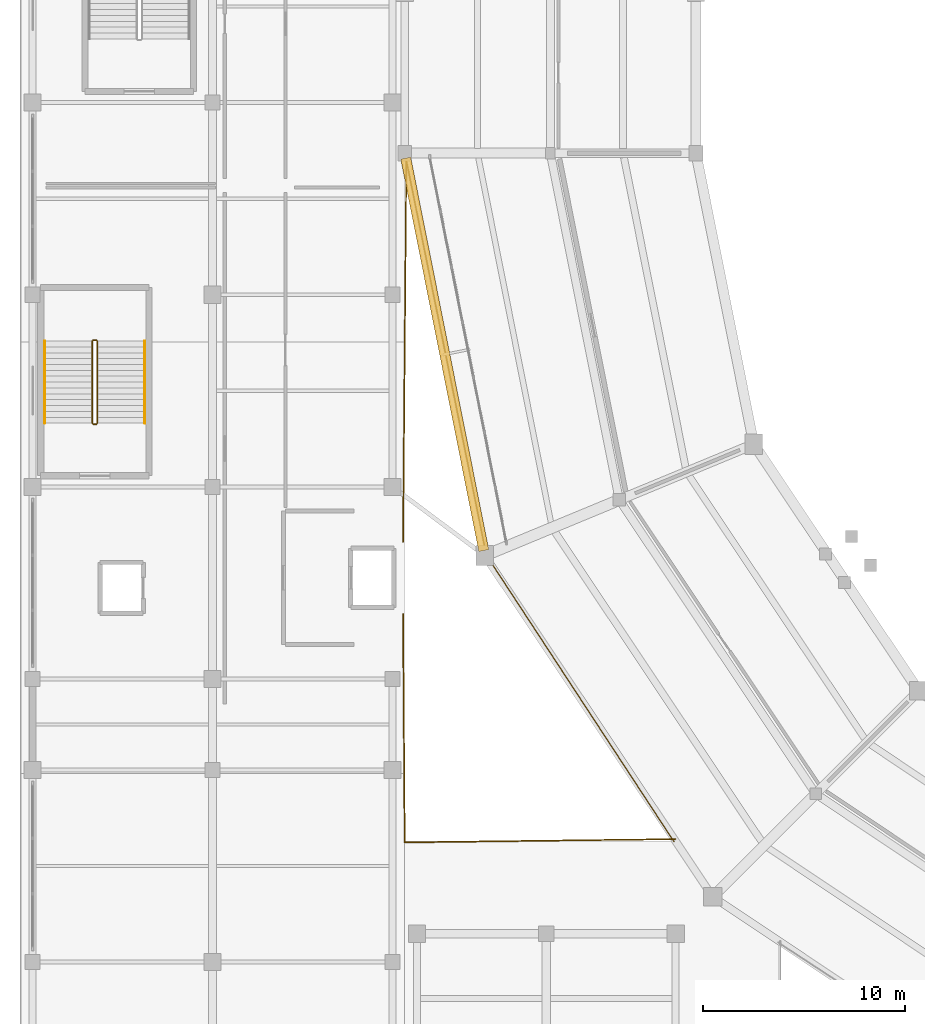
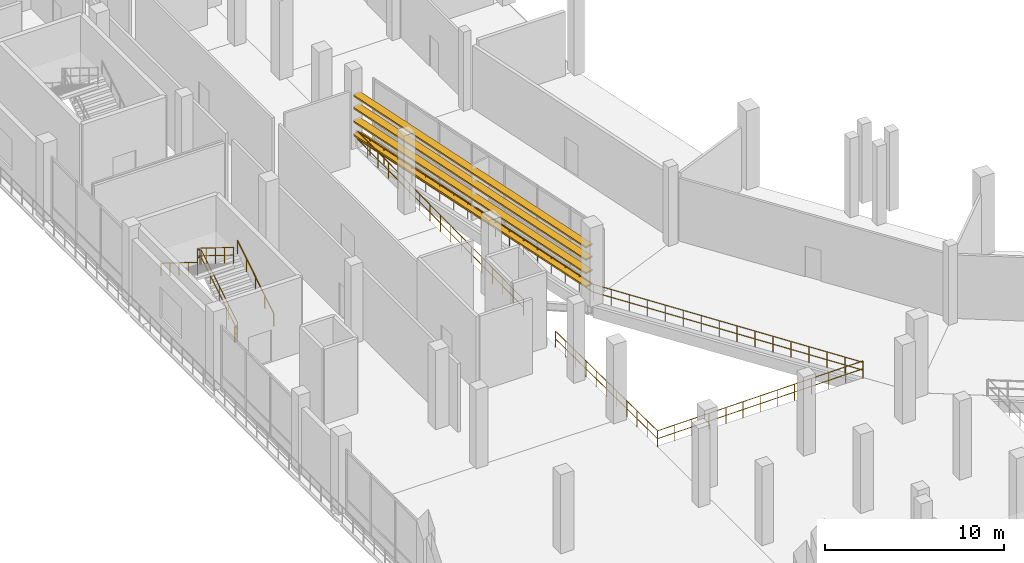
# One storey, part 93 of 114: 11 railings, 4 shading devices.
"""IFC4 building model written with IfcOpenShell, lengths in metres."""

from ifc_helpers import new_model, si_unit, direction, frame, origin, origin_2d, place, context, subcontext, project, spatial, rectangle, circle, extrude, material, layer, layer_set, type_object, element, save


model = new_model("IFC4")

# Units and contexts
model_context = context("Model", 3, precision=1e-05, world=origin(), true_north=direction((0.0, 1.0)))
body_context = subcontext(model_context, "Body", "Model", "MODEL_VIEW")
ifc_project = project(units=[si_unit("LENGTHUNIT", "METRE"), si_unit("AREAUNIT", "SQUARE_METRE"), si_unit("VOLUMEUNIT", "CUBIC_METRE"), si_unit("PLANEANGLEUNIT", "RADIAN"), si_unit("MASSUNIT", "GRAM", prefix="KILO")], contexts=[model_context])

# Site, building, storey
site_placement = place(None, origin())
site = spatial("IfcSite", under=ifc_project, at=site_placement, CompositionType="ELEMENT")
building_placement = place(site_placement, origin())
building = spatial("IfcBuilding", under=site, at=building_placement, Name="Candeia Ridge Stadium", CompositionType="ELEMENT")
storey_placement = place(building_placement, frame((0.0, 0.0, 5.39990234375)))
storey = spatial("IfcBuildingStorey", under=building, at=storey_placement, Name="L01", CompositionType="ELEMENT", Elevation=5.39990234375)

# Railings
ifc_material_1 = material(Name="Galvanized Powder-Coated Steel", Category="steel")
ifc_layer_1 = layer(ifc_material_1, 0.074951171875, Name="Galvanized Powder-Coated Steel", Category="steel")
ifc_layer_set_1 = layer_set([ifc_layer_1], Name="Galvanized Powder-Coated Steel")
railing_type_1 = type_object("IfcRailingType", Name="Spectator Bowl Front Guardrail 1120", PredefinedType="GUARDRAIL", material=ifc_layer_set_1)
railing_1_placement = place(storey_placement, frame((32.313232421875, 36.95556640625, 0.0)))
element("IfcRailing", 1, at=railing_1_placement, inside=storey, type_object=railing_type_1, Name="Deck edge safety guardrail GR-DE-L01-0048", PredefinedType="GUARDRAIL", context=body_context, shape_type="SweptSolid", body=[
    extrude(circle(Radius=0.02392578125, at=origin_2d()), frame((0.0, 0.0, 1.09619140625), z_axis=(-0.547972672169, 0.836496234634, 0.0), x_axis=(-0.836496234634, -0.547972672169, 0.0)), (0.0, 0.0, 1.0), 16.928466796875),
    extrude(circle(Radius=0.02392578125, at=origin_2d()), frame((0.0, 0.0, 0.56005859375), z_axis=(-0.547972672169, 0.836496234634, 0.0), x_axis=(-0.836496234634, -0.547972672169, 0.0)), (0.0, 0.0, 1.0), 16.928466796875),
    extrude(circle(Radius=0.02099609375, at=origin_2d()), origin(), (0.0, 0.0, 1.0), 1.072021484375),
    extrude(circle(Radius=0.02099609375, at=origin_2d()), frame((-0.618408203125, 0.944091796875, 0.0)), (0.0, 0.0, 1.0), 1.072021484375),
    extrude(circle(Radius=0.02099609375, at=origin_2d()), frame((-1.23681640625, 1.88818359375, 0.0)), (0.0, 0.0, 1.0), 1.072021484375),
    extrude(circle(Radius=0.02099609375, at=origin_2d()), frame((-1.855224609375, 2.83203125, 0.0)), (0.0, 0.0, 1.0), 1.072021484375),
    extrude(circle(Radius=0.02099609375, at=origin_2d()), frame((-2.4736328125, 3.776123046875, 0.0)), (0.0, 0.0, 1.0), 1.072021484375),
    extrude(circle(Radius=0.02099609375, at=origin_2d()), frame((-3.092041015625, 4.72021484375, 0.0)), (0.0, 0.0, 1.0), 1.072021484375),
    extrude(circle(Radius=0.02099609375, at=origin_2d()), frame((-3.71044921875, 5.664306640625, 0.0)), (0.0, 0.0, 1.0), 1.072021484375),
    extrude(circle(Radius=0.02099609375, at=origin_2d()), frame((-4.328857421875, 6.6083984375, 0.0)), (0.0, 0.0, 1.0), 1.072021484375),
    extrude(circle(Radius=0.02099609375, at=origin_2d()), frame((-4.947509765625, 7.55224609375, 0.0)), (0.0, 0.0, 1.0), 1.072021484375),
    extrude(circle(Radius=0.02099609375, at=origin_2d()), frame((-5.56591796875, 8.496337890625, 0.0)), (0.0, 0.0, 1.0), 1.072021484375),
    extrude(circle(Radius=0.02099609375, at=origin_2d()), frame((-6.184326171875, 9.4404296875, 0.0)), (0.0, 0.0, 1.0), 1.072021484375),
    extrude(circle(Radius=0.02099609375, at=origin_2d()), frame((-6.802734375, 10.384521484375, 0.0)), (0.0, 0.0, 1.0), 1.072021484375),
    extrude(circle(Radius=0.02099609375, at=origin_2d()), frame((-7.421142578125, 11.32861328125, 0.0)), (0.0, 0.0, 1.0), 1.072021484375),
    extrude(circle(Radius=0.02099609375, at=origin_2d()), frame((-8.03955078125, 12.2724609375, 0.0)), (0.0, 0.0, 1.0), 1.072021484375),
    extrude(circle(Radius=0.02099609375, at=origin_2d()), frame((-8.657958984375, 13.216552734375, 0.0)), (0.0, 0.0, 1.0), 1.072021484375),
    extrude(circle(Radius=0.02099609375, at=origin_2d()), frame((-9.2763671875, 14.16064453125, 0.0)), (0.0, 0.0, 1.0), 1.072021484375),
])
railing_2_placement = place(storey_placement, frame((23.036865234375, 51.1162109375, 0.0)))
element("IfcRailing", 2, at=railing_2_placement, inside=storey, type_object=railing_type_1, Name="Deck edge safety guardrail GR-DE-L01-0049", PredefinedType="GUARDRAIL", context=body_context, shape_type="SweptSolid", body=[
    extrude(circle(Radius=0.02392578125, at=origin_2d()), frame((0.0, 0.0, 1.09619140625), z_axis=(-0.198632089417, 0.980074126306, 0.0), x_axis=(-0.980074126306, -0.198632089417, 0.0)), (0.0, 0.0, 1.0), 20.055419921875),
    extrude(circle(Radius=0.02392578125, at=origin_2d()), frame((0.0, 0.0, 0.56005859375), z_axis=(-0.198632089417, 0.980074126306, 0.0), x_axis=(-0.980074126306, -0.198632089417, 0.0)), (0.0, 0.0, 1.0), 20.055419921875),
    extrude(circle(Radius=0.02099609375, at=origin_2d()), origin(), (0.0, 0.0, 1.0), 1.072021484375),
    extrude(circle(Radius=0.02099609375, at=origin_2d()), frame((-0.234375, 1.15625, 0.0)), (0.0, 0.0, 1.0), 1.072021484375),
    extrude(circle(Radius=0.02099609375, at=origin_2d()), frame((-0.46875, 2.3125, 0.0)), (0.0, 0.0, 1.0), 1.072021484375),
    extrude(circle(Radius=0.02099609375, at=origin_2d()), frame((-0.702880859375, 3.46875, 0.0)), (0.0, 0.0, 1.0), 1.072021484375),
    extrude(circle(Radius=0.02099609375, at=origin_2d()), frame((-0.937255859375, 4.625, 0.0)), (0.0, 0.0, 1.0), 1.072021484375),
    extrude(circle(Radius=0.02099609375, at=origin_2d()), frame((-1.171630859375, 5.781005859375, 0.0)), (0.0, 0.0, 1.0), 1.072021484375),
    extrude(circle(Radius=0.02099609375, at=origin_2d()), frame((-1.406005859375, 6.937255859375, 0.0)), (0.0, 0.0, 1.0), 1.072021484375),
    extrude(circle(Radius=0.02099609375, at=origin_2d()), frame((-1.640380859375, 8.093505859375, 0.0)), (0.0, 0.0, 1.0), 1.072021484375),
    extrude(circle(Radius=0.02099609375, at=origin_2d()), frame((-1.874755859375, 9.249755859375, 0.0)), (0.0, 0.0, 1.0), 1.072021484375),
    extrude(circle(Radius=0.02099609375, at=origin_2d()), frame((-2.10888671875, 10.406005859375, 0.0)), (0.0, 0.0, 1.0), 1.072021484375),
    extrude(circle(Radius=0.02099609375, at=origin_2d()), frame((-2.34326171875, 11.562255859375, 0.0)), (0.0, 0.0, 1.0), 1.072021484375),
    extrude(circle(Radius=0.02099609375, at=origin_2d()), frame((-2.57763671875, 12.718505859375, 0.0)), (0.0, 0.0, 1.0), 1.072021484375),
    extrude(circle(Radius=0.02099609375, at=origin_2d()), frame((-2.81201171875, 13.874755859375, 0.0)), (0.0, 0.0, 1.0), 1.072021484375),
    extrude(circle(Radius=0.02099609375, at=origin_2d()), frame((-3.04638671875, 15.03076171875, 0.0)), (0.0, 0.0, 1.0), 1.072021484375),
    extrude(circle(Radius=0.02099609375, at=origin_2d()), frame((-3.28076171875, 16.18701171875, 0.0)), (0.0, 0.0, 1.0), 1.072021484375),
    extrude(circle(Radius=0.02099609375, at=origin_2d()), frame((-3.514892578125, 17.34326171875, 0.0)), (0.0, 0.0, 1.0), 1.072021484375),
    extrude(circle(Radius=0.02099609375, at=origin_2d()), frame((-3.749267578125, 18.49951171875, 0.0)), (0.0, 0.0, 1.0), 1.072021484375),
    extrude(circle(Radius=0.02099609375, at=origin_2d()), frame((-3.983642578125, 19.65576171875, 0.0)), (0.0, 0.0, 1.0), 1.072021484375),
])
railing_3_placement = place(storey_placement, frame((19.080078125, 70.686279296875, 0.0)))
element("IfcRailing", 3, at=railing_3_placement, inside=storey, type_object=railing_type_1, Name="Deck edge safety guardrail GR-DE-L01-0050", PredefinedType="GUARDRAIL", context=body_context, shape_type="SweptSolid", body=[
    extrude(circle(Radius=0.02392578125, at=origin_2d()), frame((0.0, 0.0, 1.09619140625), z_axis=(-0.008472958565, -0.999964103842, 0.0), x_axis=(0.999964103842, -0.008472958565, 0.0)), (0.0, 0.0, 1.0), 18.902099609375),
    extrude(circle(Radius=0.02392578125, at=origin_2d()), frame((0.0, 0.0, 0.56005859375), z_axis=(-0.008472958565, -0.999964103842, 0.0), x_axis=(0.999964103842, -0.008472958565, 0.0)), (0.0, 0.0, 1.0), 18.902099609375),
    extrude(circle(Radius=0.02099609375, at=origin_2d()), origin(), (0.0, 0.0, 1.0), 1.072021484375),
    extrude(circle(Radius=0.02099609375, at=origin_2d()), frame((-0.010009765625, -1.181396484375, 0.0)), (0.0, 0.0, 1.0), 1.072021484375),
    extrude(circle(Radius=0.02099609375, at=origin_2d()), frame((-0.02001953125, -2.36279296875, 0.0)), (0.0, 0.0, 1.0), 1.072021484375),
    extrude(circle(Radius=0.02099609375, at=origin_2d()), frame((-0.030029296875, -3.5439453125, 0.0)), (0.0, 0.0, 1.0), 1.072021484375),
    extrude(circle(Radius=0.02099609375, at=origin_2d()), frame((-0.0400390625, -4.725341796875, 0.0)), (0.0, 0.0, 1.0), 1.072021484375),
    extrude(circle(Radius=0.02099609375, at=origin_2d()), frame((-0.050048828125, -5.90673828125, 0.0)), (0.0, 0.0, 1.0), 1.072021484375),
    extrude(circle(Radius=0.02099609375, at=origin_2d()), frame((-0.06005859375, -7.087890625, 0.0)), (0.0, 0.0, 1.0), 1.072021484375),
    extrude(circle(Radius=0.02099609375, at=origin_2d()), frame((-0.070068359375, -8.269287109375, 0.0)), (0.0, 0.0, 1.0), 1.072021484375),
    extrude(circle(Radius=0.02099609375, at=origin_2d()), frame((-0.080078125, -9.45068359375, 0.0)), (0.0, 0.0, 1.0), 1.072021484375),
    extrude(circle(Radius=0.02099609375, at=origin_2d()), frame((-0.090087890625, -10.632080078125, 0.0)), (0.0, 0.0, 1.0), 1.072021484375),
    extrude(circle(Radius=0.02099609375, at=origin_2d()), frame((-0.10009765625, -11.8134765625, 0.0)), (0.0, 0.0, 1.0), 1.072021484375),
    extrude(circle(Radius=0.02099609375, at=origin_2d()), frame((-0.110107421875, -12.99462890625, 0.0)), (0.0, 0.0, 1.0), 1.072021484375),
    extrude(circle(Radius=0.02099609375, at=origin_2d()), frame((-0.1201171875, -14.176025390625, 0.0)), (0.0, 0.0, 1.0), 1.072021484375),
    extrude(circle(Radius=0.02099609375, at=origin_2d()), frame((-0.130126953125, -15.357421875, 0.0)), (0.0, 0.0, 1.0), 1.072021484375),
    extrude(circle(Radius=0.02099609375, at=origin_2d()), frame((-0.14013671875, -16.53857421875, 0.0)), (0.0, 0.0, 1.0), 1.072021484375),
    extrude(circle(Radius=0.02099609375, at=origin_2d()), frame((-0.150146484375, -17.719970703125, 0.0)), (0.0, 0.0, 1.0), 1.072021484375),
    extrude(circle(Radius=0.02099609375, at=origin_2d()), frame((-0.16015625, -18.9013671875, 0.0)), (0.0, 0.0, 1.0), 1.072021484375),
])
railing_4_placement = place(storey_placement, frame((18.919921875, 48.215087890625, 0.0)))
element("IfcRailing", 4, at=railing_4_placement, inside=storey, type_object=railing_type_1, Name="Deck edge safety guardrail GR-DE-L01-0051", PredefinedType="GUARDRAIL", context=body_context, shape_type="SweptSolid", body=[
    extrude(circle(Radius=0.02392578125, at=origin_2d()), frame((0.0, 0.0, 1.09619140625), z_axis=(0.007089414402, -0.999974869786, 0.0), x_axis=(0.999974869786, 0.007089414402, 0.0)), (0.0, 0.0, 1.0), 11.29541015625),
    extrude(circle(Radius=0.02392578125, at=origin_2d()), frame((0.0, 0.0, 0.56005859375), z_axis=(0.007089414402, -0.999974869786, 0.0), x_axis=(0.999974869786, 0.007089414402, 0.0)), (0.0, 0.0, 1.0), 11.29541015625),
    extrude(circle(Radius=0.02099609375, at=origin_2d()), origin(), (0.0, 0.0, 1.0), 1.072021484375),
    extrude(circle(Radius=0.02099609375, at=origin_2d()), frame((0.008056640625, -1.12939453125, 0.0)), (0.0, 0.0, 1.0), 1.072021484375),
    extrude(circle(Radius=0.02099609375, at=origin_2d()), frame((0.01611328125, -2.259033203125, 0.0)), (0.0, 0.0, 1.0), 1.072021484375),
    extrude(circle(Radius=0.02099609375, at=origin_2d()), frame((0.02392578125, -3.388671875, 0.0)), (0.0, 0.0, 1.0), 1.072021484375),
    extrude(circle(Radius=0.02099609375, at=origin_2d()), frame((0.031982421875, -4.51806640625, 0.0)), (0.0, 0.0, 1.0), 1.072021484375),
    extrude(circle(Radius=0.02099609375, at=origin_2d()), frame((0.0400390625, -5.6474609375, 0.0)), (0.0, 0.0, 1.0), 1.072021484375),
    extrude(circle(Radius=0.02099609375, at=origin_2d()), frame((0.048095703125, -6.777099609375, 0.0)), (0.0, 0.0, 1.0), 1.072021484375),
    extrude(circle(Radius=0.02099609375, at=origin_2d()), frame((0.05615234375, -7.906494140625, 0.0)), (0.0, 0.0, 1.0), 1.072021484375),
    extrude(circle(Radius=0.02099609375, at=origin_2d()), frame((0.06396484375, -9.0361328125, 0.0)), (0.0, 0.0, 1.0), 1.072021484375),
    extrude(circle(Radius=0.02099609375, at=origin_2d()), frame((0.072021484375, -10.16552734375, 0.0)), (0.0, 0.0, 1.0), 1.072021484375),
    extrude(circle(Radius=0.02099609375, at=origin_2d()), frame((0.080078125, -11.295166015625, 0.0)), (0.0, 0.0, 1.0), 1.072021484375),
])
railing_5_placement = place(storey_placement, frame((19.0, 36.919921875, 0.0)))
element("IfcRailing", 5, at=railing_5_placement, inside=storey, type_object=railing_type_1, Name="Deck edge safety guardrail GR-DE-L01-0052", PredefinedType="GUARDRAIL", context=body_context, shape_type="SweptSolid", body=[
    extrude(circle(Radius=0.02392578125, at=origin_2d()), frame((0.0, 0.0, 1.09619140625), z_axis=(0.999928368095, 0.011969071773, 0.0), x_axis=(-0.011969071773, 0.999928368095, 0.0)), (0.0, 0.0, 1.0), 13.380859375),
    extrude(circle(Radius=0.02392578125, at=origin_2d()), frame((0.0, 0.0, 0.56005859375), z_axis=(0.999928368095, 0.011969071773, 0.0), x_axis=(-0.011969071773, 0.999928368095, 0.0)), (0.0, 0.0, 1.0), 13.380859375),
    extrude(circle(Radius=0.02099609375, at=origin_2d()), origin(), (0.0, 0.0, 1.0), 1.072021484375),
    extrude(circle(Radius=0.02099609375, at=origin_2d()), frame((1.114990234375, 0.013427734375, 0.0)), (0.0, 0.0, 1.0), 1.072021484375),
    extrude(circle(Radius=0.02099609375, at=origin_2d()), frame((2.22998046875, 0.026611328125, 0.0)), (0.0, 0.0, 1.0), 1.072021484375),
    extrude(circle(Radius=0.02099609375, at=origin_2d()), frame((3.344970703125, 0.0400390625, 0.0)), (0.0, 0.0, 1.0), 1.072021484375),
    extrude(circle(Radius=0.02099609375, at=origin_2d()), frame((4.4599609375, 0.053466796875, 0.0)), (0.0, 0.0, 1.0), 1.072021484375),
    extrude(circle(Radius=0.02099609375, at=origin_2d()), frame((5.574951171875, 0.066650390625, 0.0)), (0.0, 0.0, 1.0), 1.072021484375),
    extrude(circle(Radius=0.02099609375, at=origin_2d()), frame((6.68994140625, 0.080078125, 0.0)), (0.0, 0.0, 1.0), 1.072021484375),
    extrude(circle(Radius=0.02099609375, at=origin_2d()), frame((7.804931640625, 0.093505859375, 0.0)), (0.0, 0.0, 1.0), 1.072021484375),
    extrude(circle(Radius=0.02099609375, at=origin_2d()), frame((8.919921875, 0.106689453125, 0.0)), (0.0, 0.0, 1.0), 1.072021484375),
    extrude(circle(Radius=0.02099609375, at=origin_2d()), frame((10.034912109375, 0.1201171875, 0.0)), (0.0, 0.0, 1.0), 1.072021484375),
    extrude(circle(Radius=0.02099609375, at=origin_2d()), frame((11.14990234375, 0.133544921875, 0.0)), (0.0, 0.0, 1.0), 1.072021484375),
    extrude(circle(Radius=0.02099609375, at=origin_2d()), frame((12.264892578125, 0.146728515625, 0.0)), (0.0, 0.0, 1.0), 1.072021484375),
    extrude(circle(Radius=0.02099609375, at=origin_2d()), frame((13.3798828125, 0.16015625, 0.0)), (0.0, 0.0, 1.0), 1.072021484375),
])
ifc_material_2 = material(Name="Brushed Stainless Steel", Category="steel")
ifc_layer_2 = layer(ifc_material_2, 0.048095703125, Name="Brushed Stainless Steel", Category="steel")
ifc_layer_set_2 = layer_set([ifc_layer_2], Name="Brushed Stainless Steel")
railing_type_2 = type_object("IfcRailingType", Name="Stair Wall & Flight Handrail 900", PredefinedType="HANDRAIL", material=ifc_layer_set_2)
railing_6_placement = place(storey_placement, frame((6.14990234375, 57.64990234375, 0.18017578125)))
element("IfcRailing", 6, at=railing_6_placement, inside=storey, type_object=railing_type_2, Name="L01 ST05 stair handrail 1", PredefinedType="HANDRAIL", context=body_context, shape_type="SweptSolid", body=[
    extrude(circle(Radius=0.02392578125, at=origin_2d()), frame((0.0, 0.0, 0.8759765625), z_axis=(0.0, 0.849641744969, 0.527360318194), x_axis=(-1.0, 0.0, 0.0)), (0.0, 0.0, 1.0), 4.778564453125),
    extrude(circle(Radius=0.02099609375, at=origin_2d()), origin(), (0.0, 0.0, 1.0), 0.851806640625),
    extrude(circle(Radius=0.02099609375, at=origin_2d()), frame((0.0, 1.01513671875, 0.6298828125)), (0.0, 0.0, 1.0), 0.851806640625),
    extrude(circle(Radius=0.02099609375, at=origin_2d()), frame((0.0, 2.030029296875, 1.260009765625)), (0.0, 0.0, 1.0), 0.851806640625),
    extrude(circle(Radius=0.02099609375, at=origin_2d()), frame((0.0, 3.044921875, 1.89013671875)), (0.0, 0.0, 1.0), 0.851806640625),
    extrude(circle(Radius=0.02099609375, at=origin_2d()), frame((0.0, 4.06005859375, 2.52001953125)), (0.0, 0.0, 1.0), 0.851806640625),
])
railing_7_placement = place(storey_placement, frame((1.199951171875, 61.7099609375, 2.880126953125)))
element("IfcRailing", 7, at=railing_7_placement, inside=storey, type_object=railing_type_2, Name="L01 ST05 stair handrail 2", PredefinedType="HANDRAIL", context=body_context, shape_type="SweptSolid", body=[
    extrude(circle(Radius=0.02392578125, at=origin_2d()), frame((0.0, 0.0, 0.8759765625), z_axis=(0.0, -0.849641744969, 0.527360318194), x_axis=(1.0, 0.0, 0.0)), (0.0, 0.0, 1.0), 4.778564453125),
    extrude(circle(Radius=0.02099609375, at=origin_2d()), origin(), (0.0, 0.0, 1.0), 0.851806640625),
    extrude(circle(Radius=0.02099609375, at=origin_2d()), frame((0.0, -1.01513671875, 0.6298828125)), (0.0, 0.0, 1.0), 0.851806640625),
    extrude(circle(Radius=0.02099609375, at=origin_2d()), frame((0.0, -2.030029296875, 1.260009765625)), (0.0, 0.0, 1.0), 0.851806640625),
    extrude(circle(Radius=0.02099609375, at=origin_2d()), frame((0.0, -3.044921875, 1.89013671875)), (0.0, 0.0, 1.0), 0.851806640625),
    extrude(circle(Radius=0.02099609375, at=origin_2d()), frame((0.0, -4.06005859375, 2.52001953125)), (0.0, 0.0, 1.0), 0.851806640625),
])
ifc_layer_3 = layer(ifc_material_1, 0.06005859375, Name="Galvanized Powder-Coated Steel", Category="steel")
ifc_layer_set_3 = layer_set([ifc_layer_3], Name="Galvanized Powder-Coated Steel")
railing_type_3 = type_object("IfcRailingType", Name="Stair Well Guardrail 1100", PredefinedType="GUARDRAIL", material=ifc_layer_set_3)
railing_8_placement = place(storey_placement, frame((3.800048828125, 57.64990234375, 0.18017578125)))
element("IfcRailing", 8, at=railing_8_placement, inside=storey, type_object=railing_type_3, Name="L01 ST05 stair guard 1", PredefinedType="GUARDRAIL", context=body_context, shape_type="SweptSolid", body=[
    extrude(circle(Radius=0.02392578125, at=origin_2d()), frame((0.0, 0.0, 1.076171875), z_axis=(0.0, 0.849641744969, 0.527360318194), x_axis=(-1.0, 0.0, 0.0)), (0.0, 0.0, 1.0), 4.778564453125),
    extrude(circle(Radius=0.02392578125, at=origin_2d()), frame((0.0, 0.0, 0.550048828125), z_axis=(0.0, 0.849641744969, 0.527360318194), x_axis=(-1.0, 0.0, 0.0)), (0.0, 0.0, 1.0), 4.778564453125),
    extrude(circle(Radius=0.02099609375, at=origin_2d()), origin(), (0.0, 0.0, 1.0), 1.052001953125),
    extrude(circle(Radius=0.02099609375, at=origin_2d()), frame((0.0, 1.01513671875, 0.6298828125)), (0.0, 0.0, 1.0), 1.052001953125),
    extrude(circle(Radius=0.02099609375, at=origin_2d()), frame((0.0, 2.030029296875, 1.260009765625)), (0.0, 0.0, 1.0), 1.052001953125),
    extrude(circle(Radius=0.02099609375, at=origin_2d()), frame((0.0, 3.044921875, 1.89013671875)), (0.0, 0.0, 1.0), 1.052001953125),
    extrude(circle(Radius=0.02099609375, at=origin_2d()), frame((0.0, 4.06005859375, 2.52001953125)), (0.0, 0.0, 1.0), 1.052001953125),
])
railing_9_placement = place(storey_placement, frame((3.75, 61.760009765625, 2.7001953125)))
element("IfcRailing", 9, at=railing_9_placement, inside=storey, type_object=railing_type_3, Name="L01 ST05 stair guard 2", PredefinedType="GUARDRAIL", context=body_context, shape_type="SweptSolid", body=[
    extrude(circle(Radius=0.02392578125, at=origin_2d()), frame((0.0, 0.0, 1.076171875), z_axis=(-1.0, 0.0, 0.0), x_axis=(0.0, -1.0, 0.0)), (0.0, 0.0, 1.0), 0.14990234375),
    extrude(circle(Radius=0.02392578125, at=origin_2d()), frame((0.0, 0.0, 0.550048828125), z_axis=(-1.0, 0.0, 0.0), x_axis=(0.0, -1.0, 0.0)), (0.0, 0.0, 1.0), 0.14990234375),
    extrude(circle(Radius=0.02099609375, at=origin_2d()), origin(), (0.0, 0.0, 1.0), 1.052001953125),
    extrude(circle(Radius=0.02099609375, at=origin_2d()), frame((-0.14990234375, 0.0, 0.0)), (0.0, 0.0, 1.0), 1.052001953125),
])
railing_10_placement = place(storey_placement, frame((3.550048828125, 61.7099609375, 2.880126953125)))
element("IfcRailing", 10, at=railing_10_placement, inside=storey, type_object=railing_type_3, Name="L01 ST05 stair guard 3", PredefinedType="GUARDRAIL", context=body_context, shape_type="SweptSolid", body=[
    extrude(circle(Radius=0.02392578125, at=origin_2d()), frame((0.0, 0.0, 1.076171875), z_axis=(0.0, -0.849641744969, 0.527360318194), x_axis=(1.0, 0.0, 0.0)), (0.0, 0.0, 1.0), 4.778564453125),
    extrude(circle(Radius=0.02392578125, at=origin_2d()), frame((0.0, 0.0, 0.550048828125), z_axis=(0.0, -0.849641744969, 0.527360318194), x_axis=(1.0, 0.0, 0.0)), (0.0, 0.0, 1.0), 4.778564453125),
    extrude(circle(Radius=0.02099609375, at=origin_2d()), origin(), (0.0, 0.0, 1.0), 1.052001953125),
    extrude(circle(Radius=0.02099609375, at=origin_2d()), frame((0.0, -1.01513671875, 0.6298828125)), (0.0, 0.0, 1.0), 1.052001953125),
    extrude(circle(Radius=0.02099609375, at=origin_2d()), frame((0.0, -2.030029296875, 1.260009765625)), (0.0, 0.0, 1.0), 1.052001953125),
    extrude(circle(Radius=0.02099609375, at=origin_2d()), frame((0.0, -3.044921875, 1.89013671875)), (0.0, 0.0, 1.0), 1.052001953125),
    extrude(circle(Radius=0.02099609375, at=origin_2d()), frame((0.0, -4.06005859375, 2.52001953125)), (0.0, 0.0, 1.0), 1.052001953125),
])
railing_11_placement = place(storey_placement, frame((3.75, 57.60009765625, 0.0)))
element("IfcRailing", 11, at=railing_11_placement, inside=storey, type_object=railing_type_3, Name="L01 ST05 stair guard 4", PredefinedType="GUARDRAIL", context=body_context, shape_type="SweptSolid", body=[
    extrude(circle(Radius=0.02392578125, at=origin_2d()), frame((0.0, 0.0, 1.076171875), z_axis=(-1.0, 0.0, 0.0), x_axis=(0.0, -1.0, 0.0)), (0.0, 0.0, 1.0), 0.14990234375),
    extrude(circle(Radius=0.02392578125, at=origin_2d()), frame((0.0, 0.0, 0.550048828125), z_axis=(-1.0, 0.0, 0.0), x_axis=(0.0, -1.0, 0.0)), (0.0, 0.0, 1.0), 0.14990234375),
    extrude(circle(Radius=0.02099609375, at=origin_2d()), origin(), (0.0, 0.0, 1.0), 1.052001953125),
    extrude(circle(Radius=0.02099609375, at=origin_2d()), frame((-0.14990234375, 0.0, 0.0)), (0.0, 0.0, 1.0), 1.052001953125),
])

# Shading devices
ifc_material_3 = material(Name="Aluminium Anodized Warm Bronze", Category="aluminium")
shading_device_type = type_object("IfcShadingDeviceType", Name="Weathered Bronze Horizontal Solar Rib 500x105", PredefinedType="JALOUSIE", material=ifc_material_3)
for number, where, z_axis, x_axis, name in (
    (12, (20.979248046875, 61.05029296875, 0.872802734375), (0.0, 0.0, 1.0), (0.195090311899, -0.980785282416, 0.0), "Weathered bronze horizontal solar rib L01 bay 15-1"),
    (13, (20.979248046875, 61.05029296875, 1.7978515625), (0.0, 0.0, 1.0), (0.195090311899, -0.980785282416, 0.0), "Weathered bronze horizontal solar rib L01 bay 15-2"),
    (14, (20.979248046875, 61.05029296875, 2.722900390625), (0.0, 0.0, 1.0), (0.195090311899, -0.980785282416, 0.0), "Weathered bronze horizontal solar rib L01 bay 15-3"),
    (15, (20.979248046875, 61.05029296875, 3.56396484375), (0.0, 0.0, 1.0), (0.195090311899, -0.980785282416, 0.0), "Weathered bronze horizontal solar rib L01 bay 15-4"),
):
    element("IfcShadingDevice", number, at=place(storey_placement, frame(where, z_axis=z_axis, x_axis=x_axis)), inside=storey, type_object=shading_device_type, Name=name, PredefinedType="JALOUSIE", context=body_context, shape_type="SweptSolid", body=[
        extrude(rectangle(XDim=19.789306640625, YDim=0.5, at=origin_2d()), origin(), (0.0, 0.0, 1.0), 0.10498046875),
    ])

save(model, "model.ifc")
